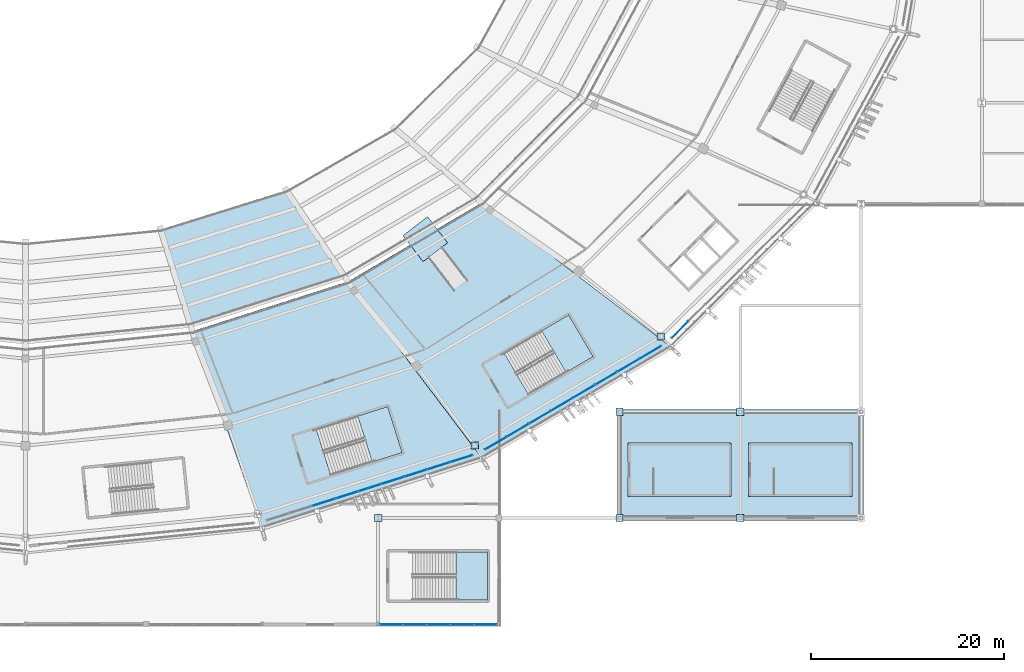
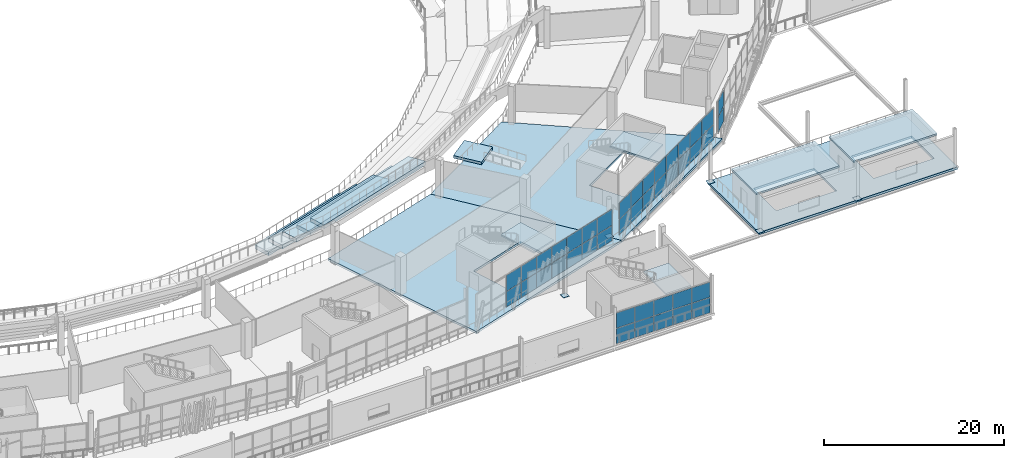
# One storey, part 95 of 178: 49 plates, 14 slabs, 7 elements without a shape of their own.
"""IFC4 building model written with IfcOpenShell, lengths in metres."""

from ifc_helpers import new_model, si_unit, direction, frame, origin, origin_2d, place, context, subcontext, project, spatial, polyline, rectangle, outline, extrude, material, layer, layer_set, type_object, element, aggregate, save


model = new_model("IFC4")

# Units and contexts
model_context = context("Model", 3, precision=1e-05, world=origin(), true_north=direction((0.0, 1.0)))
body_context = subcontext(model_context, "Body", "Model", "MODEL_VIEW")
ifc_project = project(units=[si_unit("LENGTHUNIT", "METRE"), si_unit("AREAUNIT", "SQUARE_METRE"), si_unit("VOLUMEUNIT", "CUBIC_METRE"), si_unit("PLANEANGLEUNIT", "RADIAN"), si_unit("MASSUNIT", "GRAM", prefix="KILO")], contexts=[model_context])

# Site, building, storey
site_placement = place(None, origin())
site = spatial("IfcSite", under=ifc_project, at=site_placement, CompositionType="ELEMENT")
building_placement = place(site_placement, origin())
building = spatial("IfcBuilding", under=site, at=building_placement, Name="Zlatoyarsky Gate Stadium", CompositionType="ELEMENT")
storey_placement = place(building_placement, frame((0.0, 0.0, 5.39990234375)))
storey = spatial("IfcBuildingStorey", under=building, at=storey_placement, Name="L01", CompositionType="ELEMENT", Elevation=5.39990234375)

# Slabs
ifc_material_1 = material(Name="Concrete C40/50", Category="concrete")
ifc_layer_1 = layer(ifc_material_1, 0.360107421875)
ifc_layer_set_1 = layer_set([ifc_layer_1], Name="Concrete C40/50")
slab_type_1 = type_object("IfcSlabType", Name="CONCRETE ACCESSIBLE PLATFORM SLAB 360", PredefinedType="FLOOR", material=ifc_layer_set_1)
slab_1_placement = place(storey_placement, origin())
element("IfcSlab", 1, at=slab_1_placement, inside=storey, type_object=slab_type_1, Name="L01 accessible viewing platform at AR-04", PredefinedType="FLOOR", context=body_context, shape_type="SweptSolid", body=[
    extrude(outline(polyline([(154.6875, 39.497314453125), (152.61767578125, 42.194580078125), (150.0791015625, 40.24658203125), (152.148681640625, 37.54931640625), (154.6875, 39.497314453125)])), origin(), (0.0, 0.0, 1.0), 0.360107421875),
])
ifc_layer_2 = layer(ifc_material_1, 0.300048828125)
ifc_layer_set_2 = layer_set([ifc_layer_2], Name="Concrete C40/50")
slab_type_2 = type_object("IfcSlabType", Name="CONCRETE CONCOURSE SLAB 300", PredefinedType="FLOOR", material=ifc_layer_set_2)
slab_2_placement = place(storey_placement, frame((0.0, 0.0, -0.2998046875)))
element("IfcSlab", 2, at=slab_2_placement, inside=storey, type_object=slab_type_2, Name="L01 bowl sector 19 slab", PredefinedType="FLOOR", context=body_context, shape_type="SweptSolid", body=[
    extrude(outline(polyline([(144.39990234375, 35.486328125), (158.30419921875, 17.119140625), (135.486572265625, 9.865478515625), (128.2890625, 30.351318359375), (144.39990234375, 35.486328125)]), holes=[polyline([(141.09228515625, 20.205078125), (142.60009765625, 15.437744140625), (149.9892578125, 17.7744140625), (148.481689453125, 22.541748046875), (141.09228515625, 20.205078125)])]), origin(), (0.0, 0.0, 1.0), 0.2998046875),
])
slab_3_placement = place(storey_placement, frame((0.0, 0.0, -0.2998046875)))
element("IfcSlab", 3, at=slab_3_placement, inside=storey, type_object=slab_type_2, Name="L01 bowl sector 20 slab", PredefinedType="FLOOR", context=body_context, shape_type="SweptSolid", body=[
    extrude(outline(polyline([(158.234619140625, 43.65478515625), (177.898193359375, 28.657958984375), (158.30419921875, 17.119140625), (144.39990234375, 35.486328125), (158.234619140625, 43.65478515625)]), holes=[polyline([(160.538330078125, 28.10986328125), (163.065673828125, 23.795654296875), (169.752685546875, 27.712890625), (167.225341796875, 32.027099609375), (160.538330078125, 28.10986328125)])]), origin(), (0.0, 0.0, 1.0), 0.2998046875),
])
slab_4_placement = place(storey_placement, frame((0.0, 0.0, -0.2998046875)))
element("IfcSlab", 4, at=slab_4_placement, inside=storey, type_object=slab_type_2, Name="L01 wing V6_SE slab", PredefinedType="FLOOR", context=body_context, shape_type="SweptSolid", body=[
    extrude(outline(polyline([(197.739990234375, 22.239990234375), (197.739990234375, 10.760009765625), (172.260009765625, 10.760009765625), (172.260009765625, 22.239990234375), (197.739990234375, 22.239990234375)]), holes=[polyline([(176.050048828125, 13.5), (183.800048828125, 13.5), (183.800048828125, 18.5), (176.050048828125, 18.5), (176.050048828125, 13.5)]), polyline([(196.300048828125, 13.5), (196.300048828125, 18.5), (188.550048828125, 18.5), (188.550048828125, 13.5), (196.300048828125, 13.5)])]), origin(), (0.0, 0.0, 1.0), 0.2998046875),
])
ifc_layer_3 = layer(ifc_material_1, 0.239990234375)
ifc_layer_set_3 = layer_set([ifc_layer_3], Name="Concrete C40/50")
slab_type_3 = type_object("IfcSlabType", Name="CONCRETE CORE TOP CAP SLAB 240", PredefinedType="ROOF", material=ifc_layer_set_3)
slab_5_placement = place(storey_placement, frame((0.0, 0.0, 3.2001953125)))
element("IfcSlab", 5, at=slab_5_placement, inside=storey, type_object=slab_type_3, Name="ST-23 stair headhouse roof cap", PredefinedType="ROOF", context=body_context, shape_type="SweptSolid", body=[
    extrude(outline(polyline([(173.35009765625, 13.25), (184.050048828125, 13.25), (184.050048828125, 18.75), (173.35009765625, 18.75), (173.35009765625, 13.25)])), origin(), (0.0, 0.0, 1.0), 0.239990234375),
])
slab_6_placement = place(storey_placement, frame((0.0, 0.0, 3.2001953125)))
element("IfcSlab", 6, at=slab_6_placement, inside=storey, type_object=slab_type_3, Name="ST-24 stair headhouse roof cap", PredefinedType="ROOF", context=body_context, shape_type="SweptSolid", body=[
    extrude(outline(polyline([(185.85009765625, 13.25), (196.550048828125, 13.25), (196.550048828125, 18.75), (185.85009765625, 18.75), (185.85009765625, 13.25)])), origin(), (0.0, 0.0, 1.0), 0.239990234375),
])

# Stair, slab
stair_type = type_object("IfcStairType", Name="CONCRETE DOGLEG EXIT STAIR H5200", PredefinedType="TWO_STRAIGHT_RUN_STAIR", material=ifc_material_1)
stair_1_placement = place(storey_placement, origin())
stair_1 = element("IfcStair", 7, at=stair_1_placement, inside=storey, type_object=stair_type, Name="L01 Exit Stair ST-11", PredefinedType="TWO_STRAIGHT_RUN_STAIR")
ifc_layer_4 = layer(ifc_material_1, 0.199951171875)
ifc_layer_set_4 = layer_set([ifc_layer_4], Name="Concrete C40/50")
slab_type_4 = type_object("IfcSlabType", Name="CONCRETE STAIR LANDING SLAB 200", PredefinedType="LANDING", material=ifc_layer_set_4)
slab_7_placement = place(storey_placement, frame((0.0, 0.0, 2.400146484375)))
slab_7 = element("IfcSlab", 8, at=slab_7_placement, type_object=slab_type_4, Name="ST-DG52 landing 1", PredefinedType="LANDING", context=body_context, shape_type="SweptSolid", body=[
    extrude(outline(polyline([(166.948486328125, 26.070068359375), (169.752685546875, 27.712890625), (167.225341796875, 32.027099609375), (164.421142578125, 30.384521484375), (166.948486328125, 26.070068359375)])), origin(), (0.0, 0.0, 1.0), 0.199951171875),
])
aggregate(stair_1, [slab_7])

stair_2_placement = place(storey_placement, origin())
stair_2 = element("IfcStair", 9, at=stair_2_placement, inside=storey, type_object=stair_type, Name="L01 Exit Stair ST-16", PredefinedType="TWO_STRAIGHT_RUN_STAIR")
slab_8_placement = place(storey_placement, frame((0.0, 0.0, 2.400146484375)))
slab_8 = element("IfcSlab", 10, at=slab_8_placement, type_object=slab_type_4, Name="ST-DG52 landing 1", PredefinedType="LANDING", context=body_context, shape_type="SweptSolid", body=[
    extrude(outline(polyline([(146.890625, 16.794677734375), (149.9892578125, 17.7744140625), (148.481689453125, 22.541748046875), (145.383056640625, 21.56201171875), (146.890625, 16.794677734375)])), origin(), (0.0, 0.0, 1.0), 0.199951171875),
])
aggregate(stair_2, [slab_8])

stair_3_placement = place(storey_placement, origin())
stair_3 = element("IfcStair", 11, at=stair_3_placement, inside=storey, type_object=stair_type, Name="L01 Exit Stair ST-30", PredefinedType="TWO_STRAIGHT_RUN_STAIR")
slab_9_placement = place(storey_placement, frame((0.0, 0.0, 2.400146484375)))
slab_9 = element("IfcSlab", 12, at=slab_9_placement, type_object=slab_type_4, Name="ST-DG52 landing 1", PredefinedType="LANDING", context=body_context, shape_type="SweptSolid", body=[
    extrude(outline(polyline([(155.550048828125, 2.5), (158.800048828125, 2.5), (158.800048828125, 7.5), (155.550048828125, 7.5), (155.550048828125, 2.5)])), origin(), (0.0, 0.0, 1.0), 0.199951171875),
])
aggregate(stair_3, [slab_9])

# Curtain wall, plates
ifc_material_2 = material(Name="Thermally broken anodised aluminium curtain wall", Category="aluminium")
curtain_wall_type_1 = type_object("IfcCurtainWallType", Name="WINTER GARDEN CONSERVATORY GLAZING", PredefinedType="USERDEFINED", material=ifc_material_2)
curtain_wall_1_placement = place(storey_placement, origin())
curtain_wall_1 = element("IfcCurtainWall", 13, at=curtain_wall_1_placement, inside=storey, type_object=curtain_wall_type_1, Name="Curtain wall CW-V3_SOUTH-L01-160", ObjectType="UNITISED GLAZING", PredefinedType="USERDEFINED")
ifc_material_3 = material(Name="Anodised aluminium spandrel panel", Category="aluminium")
ifc_layer_5 = layer(ifc_material_3, 0.05810546875)
ifc_layer_set_5 = layer_set([ifc_layer_5], Name="Anodised aluminium spandrel panel")
plate_type_1 = type_object("IfcPlateType", Name="INSULATED ALUMINIUM SPANDREL PANEL 58", PredefinedType="CURTAIN_PANEL", material=ifc_layer_set_5)
plate_1_placement = place(storey_placement, frame((148.895751953125, 0.0, 0.06494140625), z_axis=(0.0, 0.0, 1.0), x_axis=(1.0, 0.0, 0.0)))
plate_1 = element("IfcPlate", 14, at=plate_1_placement, type_object=plate_type_1, Name="CW-WG1 panel 1.1", PredefinedType="CURTAIN_PANEL", context=body_context, shape_type="SweptSolid", body=[
    extrude(rectangle(XDim=2.337646484375, YDim=0.05810546875, at=origin_2d()), origin(), (0.0, 0.0, 1.0), 2.052490234375),
])
plate_2_placement = place(storey_placement, frame((148.895751953125, 0.0, 2.1826171875), z_axis=(0.0, 0.0, 1.0), x_axis=(1.0, 0.0, 0.0)))
plate_2 = element("IfcPlate", 15, at=plate_2_placement, type_object=plate_type_1, Name="CW-WG1 panel 1.2", PredefinedType="CURTAIN_PANEL", context=body_context, shape_type="SweptSolid", body=[
    extrude(rectangle(XDim=2.337646484375, YDim=0.05810546875, at=origin_2d()), origin(), (0.0, 0.0, 1.0), 2.052490234375),
])
plate_3_placement = place(storey_placement, frame((151.314697265625, 0.0, 0.06494140625), z_axis=(0.0, 0.0, 1.0), x_axis=(1.0, 0.0, 0.0)))
plate_3 = element("IfcPlate", 16, at=plate_3_placement, type_object=plate_type_1, Name="CW-WG1 panel 2.1", PredefinedType="CURTAIN_PANEL", context=body_context, shape_type="SweptSolid", body=[
    extrude(rectangle(XDim=2.3701171875, YDim=0.05810546875, at=origin_2d()), origin(), (0.0, 0.0, 1.0), 2.052490234375),
])
plate_4_placement = place(storey_placement, frame((151.314697265625, 0.0, 2.1826171875), z_axis=(0.0, 0.0, 1.0), x_axis=(1.0, 0.0, 0.0)))
plate_4 = element("IfcPlate", 17, at=plate_4_placement, type_object=plate_type_1, Name="CW-WG1 panel 2.2", PredefinedType="CURTAIN_PANEL", context=body_context, shape_type="SweptSolid", body=[
    extrude(rectangle(XDim=2.3701171875, YDim=0.05810546875, at=origin_2d()), origin(), (0.0, 0.0, 1.0), 2.052490234375),
])
plate_5_placement = place(storey_placement, frame((153.75, 0.0, 0.06494140625), z_axis=(0.0, 0.0, 1.0), x_axis=(1.0, 0.0, 0.0)))
plate_5 = element("IfcPlate", 18, at=plate_5_placement, type_object=plate_type_1, Name="CW-WG1 panel 3.1", PredefinedType="CURTAIN_PANEL", context=body_context, shape_type="SweptSolid", body=[
    extrude(rectangle(XDim=2.3701171875, YDim=0.05810546875, at=origin_2d()), origin(), (0.0, 0.0, 1.0), 2.052490234375),
])
plate_6_placement = place(storey_placement, frame((153.75, 0.0, 2.1826171875), z_axis=(0.0, 0.0, 1.0), x_axis=(1.0, 0.0, 0.0)))
plate_6 = element("IfcPlate", 19, at=plate_6_placement, type_object=plate_type_1, Name="CW-WG1 panel 3.2", PredefinedType="CURTAIN_PANEL", context=body_context, shape_type="SweptSolid", body=[
    extrude(rectangle(XDim=2.3701171875, YDim=0.05810546875, at=origin_2d()), origin(), (0.0, 0.0, 1.0), 2.052490234375),
])
plate_7_placement = place(storey_placement, frame((156.185302734375, 0.0, 0.06494140625), z_axis=(0.0, 0.0, 1.0), x_axis=(1.0, 0.0, 0.0)))
plate_7 = element("IfcPlate", 20, at=plate_7_placement, type_object=plate_type_1, Name="CW-WG1 panel 4.1", PredefinedType="CURTAIN_PANEL", context=body_context, shape_type="SweptSolid", body=[
    extrude(rectangle(XDim=2.3701171875, YDim=0.05810546875, at=origin_2d()), origin(), (0.0, 0.0, 1.0), 2.052490234375),
])
plate_8_placement = place(storey_placement, frame((156.185302734375, 0.0, 2.1826171875), z_axis=(0.0, 0.0, 1.0), x_axis=(1.0, 0.0, 0.0)))
plate_8 = element("IfcPlate", 21, at=plate_8_placement, type_object=plate_type_1, Name="CW-WG1 panel 4.2", PredefinedType="CURTAIN_PANEL", context=body_context, shape_type="SweptSolid", body=[
    extrude(rectangle(XDim=2.3701171875, YDim=0.05810546875, at=origin_2d()), origin(), (0.0, 0.0, 1.0), 2.052490234375),
])
plate_9_placement = place(storey_placement, frame((158.604248046875, 0.0, 0.06494140625), z_axis=(0.0, 0.0, 1.0), x_axis=(1.0, 0.0, 0.0)))
plate_9 = element("IfcPlate", 22, at=plate_9_placement, type_object=plate_type_1, Name="CW-WG1 panel 5.1", PredefinedType="CURTAIN_PANEL", context=body_context, shape_type="SweptSolid", body=[
    extrude(rectangle(XDim=2.337646484375, YDim=0.05810546875, at=origin_2d()), origin(), (0.0, 0.0, 1.0), 2.052490234375),
])
plate_10_placement = place(storey_placement, frame((158.604248046875, 0.0, 2.1826171875), z_axis=(0.0, 0.0, 1.0), x_axis=(1.0, 0.0, 0.0)))
plate_10 = element("IfcPlate", 23, at=plate_10_placement, type_object=plate_type_1, Name="CW-WG1 panel 5.2", PredefinedType="CURTAIN_PANEL", context=body_context, shape_type="SweptSolid", body=[
    extrude(rectangle(XDim=2.337646484375, YDim=0.05810546875, at=origin_2d()), origin(), (0.0, 0.0, 1.0), 2.052490234375),
])
aggregate(curtain_wall_1, [plate_1, plate_2, plate_3, plate_4, plate_5, plate_6, plate_7, plate_8, plate_9, plate_10])

# Slabs
ifc_material_4 = material(Name="Precast concrete C40/50", Category="concrete")
ifc_layer_6 = layer(ifc_material_4, 0.52001953125)
ifc_layer_set_6 = layer_set([ifc_layer_6], Name="Precast concrete C40/50")
slab_type_5 = type_object("IfcSlabType", Name="PRECAST LOWER SEATING TIER UNIT 520", PredefinedType="USERDEFINED", material=ifc_layer_set_6)
slab_10_placement = place(storey_placement, frame((0.0, 0.0, -3.869873046875)))
element("IfcSlab", 24, at=slab_10_placement, inside=storey, type_object=slab_type_5, Name="Lower seating tier sector 19 row 1", ObjectType="SEATING TIER", PredefinedType="USERDEFINED", context=body_context, shape_type="SweptSolid", body=[
    extrude(outline(polyline([(124.976318359375, 40.8798828125), (125.607666015625, 38.89013671875), (139.219970703125, 43.14208984375), (138.0, 44.926025390625), (124.976318359375, 40.8798828125)])), origin(), (0.0, 0.0, 1.0), 0.52001953125),
])
slab_11_placement = place(storey_placement, frame((0.0, 0.0, -1.969970703125)))
element("IfcSlab", 25, at=slab_11_placement, inside=storey, type_object=slab_type_5, Name="Lower seating tier sector 19 row 2", ObjectType="SEATING TIER", PredefinedType="USERDEFINED", context=body_context, shape_type="SweptSolid", body=[
    extrude(outline(polyline([(125.607666015625, 38.89013671875), (126.2392578125, 36.900390625), (140.43994140625, 41.35791015625), (139.219970703125, 43.14208984375), (125.607666015625, 38.89013671875)])), origin(), (0.0, 0.0, 1.0), 0.52001953125),
])
slab_12_placement = place(storey_placement, frame((0.0, 0.0, -0.06982421875)))
element("IfcSlab", 26, at=slab_12_placement, inside=storey, type_object=slab_type_5, Name="Lower seating tier sector 19 row 3", ObjectType="SEATING TIER", PredefinedType="USERDEFINED", context=body_context, shape_type="SweptSolid", body=[
    extrude(outline(polyline([(126.2392578125, 36.900390625), (126.870849609375, 34.91064453125), (141.659912109375, 39.573974609375), (140.43994140625, 41.35791015625), (126.2392578125, 36.900390625)])), origin(), (0.0, 0.0, 1.0), 0.52001953125),
])
slab_13_placement = place(storey_placement, frame((0.0, 0.0, 1.830078125)))
element("IfcSlab", 27, at=slab_13_placement, inside=storey, type_object=slab_type_5, Name="Lower seating tier sector 19 row 4", ObjectType="SEATING TIER", PredefinedType="USERDEFINED", context=body_context, shape_type="SweptSolid", body=[
    extrude(outline(polyline([(126.870849609375, 34.91064453125), (127.502197265625, 32.9208984375), (142.8798828125, 37.789794921875), (141.659912109375, 39.573974609375), (126.870849609375, 34.91064453125)])), origin(), (0.0, 0.0, 1.0), 0.52001953125),
])
slab_14_placement = place(storey_placement, frame((0.0, 0.0, 3.72998046875)))
element("IfcSlab", 28, at=slab_14_placement, inside=storey, type_object=slab_type_5, Name="Lower seating tier sector 19 row 5", ObjectType="SEATING TIER", PredefinedType="USERDEFINED", context=body_context, shape_type="SweptSolid", body=[
    extrude(outline(polyline([(127.502197265625, 32.9208984375), (128.1337890625, 30.930908203125), (144.10009765625, 36.005859375), (142.8798828125, 37.789794921875), (127.502197265625, 32.9208984375)])), origin(), (0.0, 0.0, 1.0), 0.52001953125),
])

# Plates
ifc_material_5 = material(Name="Steel S355", Category="steel")
ifc_layer_7 = layer(ifc_material_5, 0.0400390625)
ifc_layer_set_7 = layer_set([ifc_layer_7], Name="Steel S355")
plate_type_2 = type_object("IfcPlateType", Name="STEEL COLUMN BASE PLATE 40", PredefinedType="USERDEFINED", material=ifc_layer_set_7)
for number, where, z_axis, x_axis, name in (
    (29, (157.5, 18.51220703125, 0.0), (0.0, 0.0, 1.0), (1.0, 0.0, 0.0), "Column base plate BP-01 at RC-20 L01"),
    (30, (176.760986328125, 29.79541015625, 0.0), (0.0, 0.0, 1.0), (1.0, 0.0, 0.0), "Column base plate BP-01 at RC-21 L01"),
    (31, (147.5, 11.0, 0.0), (0.0, 0.0, 1.0), (1.0, 0.0, 0.0), "Column base plate BP-01 at WG-13-B L01"),
    (32, (172.5, 11.0, 0.0), (0.0, 0.0, 1.0), (1.0, 0.0, 0.0), "Column base plate BP-01 at WG-15-B L01"),
    (33, (172.5, 22.0, 0.0), (0.0, 0.0, 1.0), (1.0, 0.0, 0.0), "Column base plate BP-01 at WG-15-C L01"),
    (34, (185.0, 11.0, 0.0), (0.0, 0.0, 1.0), (1.0, 0.0, 0.0), "Column base plate BP-01 at WG-16-B L01"),
    (35, (185.0, 22.0, 0.0), (0.0, 0.0, 1.0), (1.0, 0.0, 0.0), "Column base plate BP-01 at WG-16-C L01"),
):
    element("IfcPlate", number, at=place(storey_placement, frame(where, z_axis=z_axis, x_axis=x_axis)), inside=storey, type_object=plate_type_2, Name=name, ObjectType="BASE PLATE", PredefinedType="USERDEFINED", context=body_context, shape_type="SweptSolid", body=[
        extrude(rectangle(XDim=0.75, YDim=0.75, at=origin_2d()), origin(), (0.0, 0.0, 1.0), 0.0400390625),
    ])

# Curtain wall, plates
curtain_wall_type_2 = type_object("IfcCurtainWallType", Name="UNITISED HOSPITALITY GLAZING L01", PredefinedType="USERDEFINED", material=ifc_material_2)
curtain_wall_2_placement = place(storey_placement, origin())
curtain_wall_2 = element("IfcCurtainWall", 36, at=curtain_wall_2_placement, inside=storey, type_object=curtain_wall_type_2, Name="Curtain wall CW-L01-19", ObjectType="UNITISED GLAZING", PredefinedType="USERDEFINED")
ifc_material_6 = material(Name="Triple-glazed argon low-e architectural glass", Category="glass")
ifc_layer_8 = layer(ifc_material_6, 0.0380859375)
ifc_layer_set_8 = layer_set([ifc_layer_8], Name="Triple-glazed argon low-e architectural glass")
plate_type_3 = type_object("IfcPlateType", Name="TRIPLE GLAZED LOW E CURTAIN PANEL 38", PredefinedType="CURTAIN_PANEL", material=ifc_layer_set_8)
plate_11_placement = place(storey_placement, frame((141.8720703125, 12.62451171875, 0.06494140625), z_axis=(0.0, 0.0, 1.0), x_axis=(0.953202069722, 0.302333944964, 0.0)))
plate_11 = element("IfcPlate", 37, at=plate_11_placement, type_object=plate_type_3, Name="CW-UG1 panel 3.1", PredefinedType="CURTAIN_PANEL", context=body_context, shape_type="SweptSolid", body=[
    extrude(rectangle(XDim=2.4306640625, YDim=0.0380859375, at=origin_2d()), origin(), (0.0, 0.0, 1.0), 2.052490234375),
])
plate_12_placement = place(storey_placement, frame((141.8720703125, 12.62451171875, 2.1826171875), z_axis=(0.0, 0.0, 1.0), x_axis=(0.953202069722, 0.302333944964, 0.0)))
plate_12 = element("IfcPlate", 38, at=plate_12_placement, type_object=plate_type_3, Name="CW-UG1 panel 3.2", PredefinedType="CURTAIN_PANEL", context=body_context, shape_type="SweptSolid", body=[
    extrude(rectangle(XDim=2.4306640625, YDim=0.0380859375, at=origin_2d()), origin(), (0.0, 0.0, 1.0), 2.152587890625),
])
plate_13_placement = place(storey_placement, frame((144.2509765625, 13.37890625, 0.06494140625), z_axis=(0.0, 0.0, 1.0), x_axis=(0.953202069722, 0.302333944964, 0.0)))
plate_13 = element("IfcPlate", 39, at=plate_13_placement, type_object=plate_type_3, Name="CW-UG1 panel 4.1", PredefinedType="CURTAIN_PANEL", context=body_context, shape_type="SweptSolid", body=[
    extrude(rectangle(XDim=2.4306640625, YDim=0.0380859375, at=origin_2d()), origin(), (0.0, 0.0, 1.0), 2.052490234375),
])
plate_14_placement = place(storey_placement, frame((144.2509765625, 13.37890625, 2.1826171875), z_axis=(0.0, 0.0, 1.0), x_axis=(0.953202069722, 0.302333944964, 0.0)))
plate_14 = element("IfcPlate", 40, at=plate_14_placement, type_object=plate_type_3, Name="CW-UG1 panel 4.2", PredefinedType="CURTAIN_PANEL", context=body_context, shape_type="SweptSolid", body=[
    extrude(rectangle(XDim=2.4306640625, YDim=0.0380859375, at=origin_2d()), origin(), (0.0, 0.0, 1.0), 2.152587890625),
])
plate_15_placement = place(storey_placement, frame((146.6298828125, 14.133544921875, 0.06494140625), z_axis=(0.0, 0.0, 1.0), x_axis=(0.953202069722, 0.302333944964, 0.0)))
plate_15 = element("IfcPlate", 41, at=plate_15_placement, type_object=plate_type_3, Name="CW-UG1 panel 5.1", PredefinedType="CURTAIN_PANEL", context=body_context, shape_type="SweptSolid", body=[
    extrude(rectangle(XDim=2.4306640625, YDim=0.0380859375, at=origin_2d()), origin(), (0.0, 0.0, 1.0), 2.052490234375),
])
plate_16_placement = place(storey_placement, frame((146.6298828125, 14.133544921875, 2.1826171875), z_axis=(0.0, 0.0, 1.0), x_axis=(0.953202069722, 0.302333944964, 0.0)))
plate_16 = element("IfcPlate", 42, at=plate_16_placement, type_object=plate_type_3, Name="CW-UG1 panel 5.2", PredefinedType="CURTAIN_PANEL", context=body_context, shape_type="SweptSolid", body=[
    extrude(rectangle(XDim=2.4306640625, YDim=0.0380859375, at=origin_2d()), origin(), (0.0, 0.0, 1.0), 2.152587890625),
])
plate_17_placement = place(storey_placement, frame((149.008544921875, 14.88818359375, 0.06494140625), z_axis=(0.0, 0.0, 1.0), x_axis=(0.953202069722, 0.302333944964, 0.0)))
plate_17 = element("IfcPlate", 43, at=plate_17_placement, type_object=plate_type_3, Name="CW-UG1 panel 6.1", PredefinedType="CURTAIN_PANEL", context=body_context, shape_type="SweptSolid", body=[
    extrude(rectangle(XDim=2.4306640625, YDim=0.0380859375, at=origin_2d()), origin(), (0.0, 0.0, 1.0), 2.052490234375),
])
plate_18_placement = place(storey_placement, frame((149.008544921875, 14.88818359375, 2.1826171875), z_axis=(0.0, 0.0, 1.0), x_axis=(0.953202069722, 0.302333944964, 0.0)))
plate_18 = element("IfcPlate", 44, at=plate_18_placement, type_object=plate_type_3, Name="CW-UG1 panel 6.2", PredefinedType="CURTAIN_PANEL", context=body_context, shape_type="SweptSolid", body=[
    extrude(rectangle(XDim=2.4306640625, YDim=0.0380859375, at=origin_2d()), origin(), (0.0, 0.0, 1.0), 2.152587890625),
])
plate_19_placement = place(storey_placement, frame((151.387451171875, 15.642578125, 0.06494140625), z_axis=(0.0, 0.0, 1.0), x_axis=(0.953202069722, 0.302333944964, 0.0)))
plate_19 = element("IfcPlate", 45, at=plate_19_placement, type_object=plate_type_3, Name="CW-UG1 panel 7.1", PredefinedType="CURTAIN_PANEL", context=body_context, shape_type="SweptSolid", body=[
    extrude(rectangle(XDim=2.4306640625, YDim=0.0380859375, at=origin_2d()), origin(), (0.0, 0.0, 1.0), 2.052490234375),
])
plate_20_placement = place(storey_placement, frame((151.387451171875, 15.642578125, 2.1826171875), z_axis=(0.0, 0.0, 1.0), x_axis=(0.953202069722, 0.302333944964, 0.0)))
plate_20 = element("IfcPlate", 46, at=plate_20_placement, type_object=plate_type_3, Name="CW-UG1 panel 7.2", PredefinedType="CURTAIN_PANEL", context=body_context, shape_type="SweptSolid", body=[
    extrude(rectangle(XDim=2.4306640625, YDim=0.0380859375, at=origin_2d()), origin(), (0.0, 0.0, 1.0), 2.152587890625),
])
plate_21_placement = place(storey_placement, frame((153.766357421875, 16.397216796875, 0.06494140625), z_axis=(0.0, 0.0, 1.0), x_axis=(0.953202069722, 0.302333944964, 0.0)))
plate_21 = element("IfcPlate", 47, at=plate_21_placement, type_object=plate_type_3, Name="CW-UG1 panel 8.1", PredefinedType="CURTAIN_PANEL", context=body_context, shape_type="SweptSolid", body=[
    extrude(rectangle(XDim=2.4306640625, YDim=0.0380859375, at=origin_2d()), origin(), (0.0, 0.0, 1.0), 2.052490234375),
])
plate_22_placement = place(storey_placement, frame((153.766357421875, 16.397216796875, 2.1826171875), z_axis=(0.0, 0.0, 1.0), x_axis=(0.953202069722, 0.302333944964, 0.0)))
plate_22 = element("IfcPlate", 48, at=plate_22_placement, type_object=plate_type_3, Name="CW-UG1 panel 8.2", PredefinedType="CURTAIN_PANEL", context=body_context, shape_type="SweptSolid", body=[
    extrude(rectangle(XDim=2.4306640625, YDim=0.0380859375, at=origin_2d()), origin(), (0.0, 0.0, 1.0), 2.152587890625),
])
plate_23_placement = place(storey_placement, frame((156.1298828125, 17.146728515625, 0.06494140625), z_axis=(0.0, 0.0, 1.0), x_axis=(0.953202069722, 0.302333944964, 0.0)))
plate_23 = element("IfcPlate", 49, at=plate_23_placement, type_object=plate_type_3, Name="CW-UG1 panel 9.1", PredefinedType="CURTAIN_PANEL", context=body_context, shape_type="SweptSolid", body=[
    extrude(rectangle(XDim=2.398193359375, YDim=0.0380859375, at=origin_2d()), origin(), (0.0, 0.0, 1.0), 2.052490234375),
])
plate_24_placement = place(storey_placement, frame((156.1298828125, 17.146728515625, 2.1826171875), z_axis=(0.0, 0.0, 1.0), x_axis=(0.953202069722, 0.302333944964, 0.0)))
plate_24 = element("IfcPlate", 50, at=plate_24_placement, type_object=plate_type_3, Name="CW-UG1 panel 9.2", PredefinedType="CURTAIN_PANEL", context=body_context, shape_type="SweptSolid", body=[
    extrude(rectangle(XDim=2.398193359375, YDim=0.0380859375, at=origin_2d()), origin(), (0.0, 0.0, 1.0), 2.152587890625),
])
aggregate(curtain_wall_2, [plate_11, plate_12, plate_13, plate_14, plate_15, plate_16, plate_17, plate_18, plate_19, plate_20, plate_21, plate_22, plate_23, plate_24])

curtain_wall_3_placement = place(storey_placement, origin())
curtain_wall_3 = element("IfcCurtainWall", 51, at=curtain_wall_3_placement, inside=storey, type_object=curtain_wall_type_2, Name="Curtain wall CW-L01-20", ObjectType="UNITISED GLAZING", PredefinedType="USERDEFINED")
plate_25_placement = place(storey_placement, frame((159.67431640625, 18.736083984375, 0.06494140625), z_axis=(0.0, 0.0, 1.0), x_axis=(0.862186850558, 0.506590401335, 0.0)))
plate_25 = element("IfcPlate", 52, at=plate_25_placement, type_object=plate_type_3, Name="CW-UG1 panel 1.1", PredefinedType="CURTAIN_PANEL", context=body_context, shape_type="SweptSolid", body=[
    extrude(rectangle(XDim=2.559814453125, YDim=0.0380859375, at=origin_2d()), origin(), (0.0, 0.0, 1.0), 2.052490234375),
])
plate_26_placement = place(storey_placement, frame((159.67431640625, 18.736083984375, 2.1826171875), z_axis=(0.0, 0.0, 1.0), x_axis=(0.862186850558, 0.506590401335, 0.0)))
plate_26 = element("IfcPlate", 53, at=plate_26_placement, type_object=plate_type_3, Name="CW-UG1 panel 1.2", PredefinedType="CURTAIN_PANEL", context=body_context, shape_type="SweptSolid", body=[
    extrude(rectangle(XDim=2.559814453125, YDim=0.0380859375, at=origin_2d()), origin(), (0.0, 0.0, 1.0), 2.152587890625),
])
plate_27_placement = place(storey_placement, frame((161.951171875, 20.073974609375, 0.06494140625), z_axis=(0.0, 0.0, 1.0), x_axis=(0.862186850558, 0.506590401335, 0.0)))
plate_27 = element("IfcPlate", 54, at=plate_27_placement, type_object=plate_type_3, Name="CW-UG1 panel 2.1", PredefinedType="CURTAIN_PANEL", context=body_context, shape_type="SweptSolid", body=[
    extrude(rectangle(XDim=2.59228515625, YDim=0.0380859375, at=origin_2d()), origin(), (0.0, 0.0, 1.0), 2.052490234375),
])
plate_28_placement = place(storey_placement, frame((161.951171875, 20.073974609375, 2.1826171875), z_axis=(0.0, 0.0, 1.0), x_axis=(0.862186850558, 0.506590401335, 0.0)))
plate_28 = element("IfcPlate", 55, at=plate_28_placement, type_object=plate_type_3, Name="CW-UG1 panel 2.2", PredefinedType="CURTAIN_PANEL", context=body_context, shape_type="SweptSolid", body=[
    extrude(rectangle(XDim=2.59228515625, YDim=0.0380859375, at=origin_2d()), origin(), (0.0, 0.0, 1.0), 2.152587890625),
])
plate_29_placement = place(storey_placement, frame((164.2421875, 21.419921875, 0.06494140625), z_axis=(0.0, 0.0, 1.0), x_axis=(0.862186850558, 0.506590401335, 0.0)))
plate_29 = element("IfcPlate", 56, at=plate_29_placement, type_object=plate_type_3, Name="CW-UG1 panel 3.1", PredefinedType="CURTAIN_PANEL", context=body_context, shape_type="SweptSolid", body=[
    extrude(rectangle(XDim=2.59228515625, YDim=0.0380859375, at=origin_2d()), origin(), (0.0, 0.0, 1.0), 2.052490234375),
])
plate_30_placement = place(storey_placement, frame((164.2421875, 21.419921875, 2.1826171875), z_axis=(0.0, 0.0, 1.0), x_axis=(0.862186850558, 0.506590401335, 0.0)))
plate_30 = element("IfcPlate", 57, at=plate_30_placement, type_object=plate_type_3, Name="CW-UG1 panel 3.2", PredefinedType="CURTAIN_PANEL", context=body_context, shape_type="SweptSolid", body=[
    extrude(rectangle(XDim=2.59228515625, YDim=0.0380859375, at=origin_2d()), origin(), (0.0, 0.0, 1.0), 2.152587890625),
])
plate_31_placement = place(storey_placement, frame((166.533203125, 22.76611328125, 0.06494140625), z_axis=(0.0, 0.0, 1.0), x_axis=(0.862186850558, 0.506590401335, 0.0)))
plate_31 = element("IfcPlate", 58, at=plate_31_placement, type_object=plate_type_3, Name="CW-UG1 panel 4.1", PredefinedType="CURTAIN_PANEL", context=body_context, shape_type="SweptSolid", body=[
    extrude(rectangle(XDim=2.59228515625, YDim=0.0380859375, at=origin_2d()), origin(), (0.0, 0.0, 1.0), 2.052490234375),
])
plate_32_placement = place(storey_placement, frame((166.533203125, 22.76611328125, 2.1826171875), z_axis=(0.0, 0.0, 1.0), x_axis=(0.862186850558, 0.506590401335, 0.0)))
plate_32 = element("IfcPlate", 59, at=plate_32_placement, type_object=plate_type_3, Name="CW-UG1 panel 4.2", PredefinedType="CURTAIN_PANEL", context=body_context, shape_type="SweptSolid", body=[
    extrude(rectangle(XDim=2.59228515625, YDim=0.0380859375, at=origin_2d()), origin(), (0.0, 0.0, 1.0), 2.152587890625),
])
plate_33_placement = place(storey_placement, frame((168.82421875, 24.1123046875, 0.06494140625), z_axis=(0.0, 0.0, 1.0), x_axis=(0.862186850558, 0.506590401335, 0.0)))
plate_33 = element("IfcPlate", 60, at=plate_33_placement, type_object=plate_type_3, Name="CW-UG1 panel 5.1", PredefinedType="CURTAIN_PANEL", context=body_context, shape_type="SweptSolid", body=[
    extrude(rectangle(XDim=2.59228515625, YDim=0.0380859375, at=origin_2d()), origin(), (0.0, 0.0, 1.0), 2.052490234375),
])
plate_34_placement = place(storey_placement, frame((168.82421875, 24.1123046875, 2.1826171875), z_axis=(0.0, 0.0, 1.0), x_axis=(0.862186850558, 0.506590401335, 0.0)))
plate_34 = element("IfcPlate", 61, at=plate_34_placement, type_object=plate_type_3, Name="CW-UG1 panel 5.2", PredefinedType="CURTAIN_PANEL", context=body_context, shape_type="SweptSolid", body=[
    extrude(rectangle(XDim=2.59228515625, YDim=0.0380859375, at=origin_2d()), origin(), (0.0, 0.0, 1.0), 2.152587890625),
])
plate_35_placement = place(storey_placement, frame((171.115234375, 25.45849609375, 0.06494140625), z_axis=(0.0, 0.0, 1.0), x_axis=(0.862186850558, 0.506590401335, 0.0)))
plate_35 = element("IfcPlate", 62, at=plate_35_placement, type_object=plate_type_3, Name="CW-UG1 panel 6.1", PredefinedType="CURTAIN_PANEL", context=body_context, shape_type="SweptSolid", body=[
    extrude(rectangle(XDim=2.59228515625, YDim=0.0380859375, at=origin_2d()), origin(), (0.0, 0.0, 1.0), 2.052490234375),
])
plate_36_placement = place(storey_placement, frame((171.115234375, 25.45849609375, 2.1826171875), z_axis=(0.0, 0.0, 1.0), x_axis=(0.862186850558, 0.506590401335, 0.0)))
plate_36 = element("IfcPlate", 63, at=plate_36_placement, type_object=plate_type_3, Name="CW-UG1 panel 6.2", PredefinedType="CURTAIN_PANEL", context=body_context, shape_type="SweptSolid", body=[
    extrude(rectangle(XDim=2.59228515625, YDim=0.0380859375, at=origin_2d()), origin(), (0.0, 0.0, 1.0), 2.152587890625),
])
plate_37_placement = place(storey_placement, frame((173.40625, 26.804443359375, 0.06494140625), z_axis=(0.0, 0.0, 1.0), x_axis=(0.862186850558, 0.506590401335, 0.0)))
plate_37 = element("IfcPlate", 64, at=plate_37_placement, type_object=plate_type_3, Name="CW-UG1 panel 7.1", PredefinedType="CURTAIN_PANEL", context=body_context, shape_type="SweptSolid", body=[
    extrude(rectangle(XDim=2.59228515625, YDim=0.0380859375, at=origin_2d()), origin(), (0.0, 0.0, 1.0), 2.052490234375),
])
plate_38_placement = place(storey_placement, frame((173.40625, 26.804443359375, 2.1826171875), z_axis=(0.0, 0.0, 1.0), x_axis=(0.862186850558, 0.506590401335, 0.0)))
plate_38 = element("IfcPlate", 65, at=plate_38_placement, type_object=plate_type_3, Name="CW-UG1 panel 7.2", PredefinedType="CURTAIN_PANEL", context=body_context, shape_type="SweptSolid", body=[
    extrude(rectangle(XDim=2.59228515625, YDim=0.0380859375, at=origin_2d()), origin(), (0.0, 0.0, 1.0), 2.152587890625),
])
plate_39_placement = place(storey_placement, frame((175.683349609375, 28.142333984375, 0.06494140625), z_axis=(0.0, 0.0, 1.0), x_axis=(0.862186850558, 0.506590401335, 0.0)))
plate_39 = element("IfcPlate", 66, at=plate_39_placement, type_object=plate_type_3, Name="CW-UG1 panel 8.1", PredefinedType="CURTAIN_PANEL", context=body_context, shape_type="SweptSolid", body=[
    extrude(rectangle(XDim=2.559814453125, YDim=0.0380859375, at=origin_2d()), origin(), (0.0, 0.0, 1.0), 2.052490234375),
])
plate_40_placement = place(storey_placement, frame((175.683349609375, 28.142333984375, 2.1826171875), z_axis=(0.0, 0.0, 1.0), x_axis=(0.862186850558, 0.506590401335, 0.0)))
plate_40 = element("IfcPlate", 67, at=plate_40_placement, type_object=plate_type_3, Name="CW-UG1 panel 8.2", PredefinedType="CURTAIN_PANEL", context=body_context, shape_type="SweptSolid", body=[
    extrude(rectangle(XDim=2.559814453125, YDim=0.0380859375, at=origin_2d()), origin(), (0.0, 0.0, 1.0), 2.152587890625),
])
aggregate(curtain_wall_3, [plate_25, plate_26, plate_27, plate_28, plate_29, plate_30, plate_31, plate_32, plate_33, plate_34, plate_35, plate_36, plate_37, plate_38, plate_39, plate_40])

curtain_wall_4_placement = place(storey_placement, origin())
curtain_wall_4 = element("IfcCurtainWall", 68, at=curtain_wall_4_placement, inside=storey, type_object=curtain_wall_type_2, Name="Curtain wall CW-L01-21", ObjectType="UNITISED GLAZING", PredefinedType="USERDEFINED")
plate_41_placement = place(storey_placement, frame((178.750244140625, 30.4970703125, 0.06494140625), z_axis=(0.0, 0.0, 1.0), x_axis=(0.707841859523, 0.706370937898, 0.0)))
plate_41 = element("IfcPlate", 69, at=plate_41_placement, type_object=plate_type_3, Name="CW-UG1 panel 1.1", PredefinedType="CURTAIN_PANEL", context=body_context, shape_type="SweptSolid", body=[
    extrude(rectangle(XDim=2.37548828125, YDim=0.0380859375, at=origin_2d()), origin(), (0.0, 0.0, 1.0), 2.052490234375),
])
plate_42_placement = place(storey_placement, frame((178.750244140625, 30.4970703125, 2.1826171875), z_axis=(0.0, 0.0, 1.0), x_axis=(0.707841859523, 0.706370937898, 0.0)))
plate_42 = element("IfcPlate", 70, at=plate_42_placement, type_object=plate_type_3, Name="CW-UG1 panel 1.2", PredefinedType="CURTAIN_PANEL", context=body_context, shape_type="SweptSolid", body=[
    extrude(rectangle(XDim=2.37548828125, YDim=0.0380859375, at=origin_2d()), origin(), (0.0, 0.0, 1.0), 2.152587890625),
])
aggregate(curtain_wall_4, [plate_41, plate_42])

save(model, "model.ifc")
